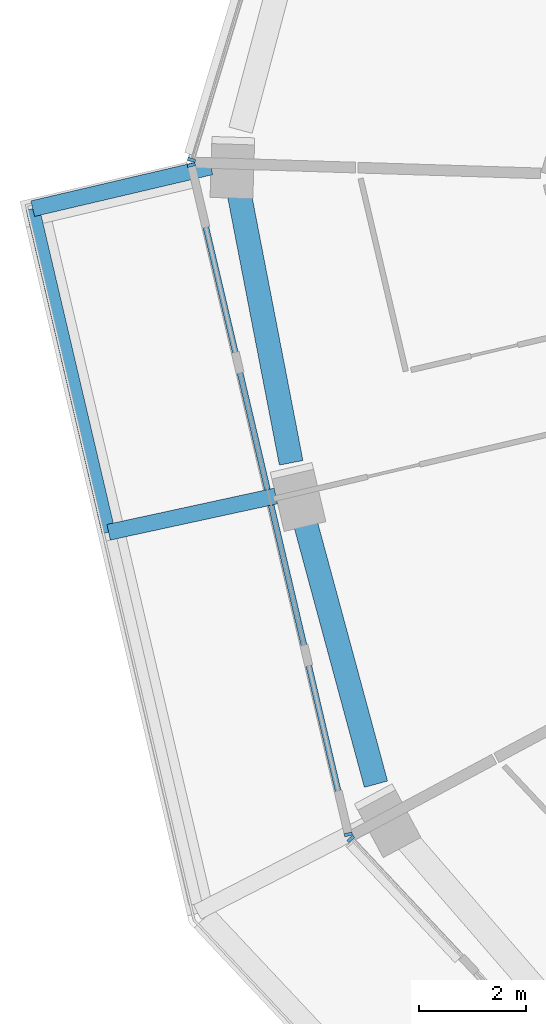
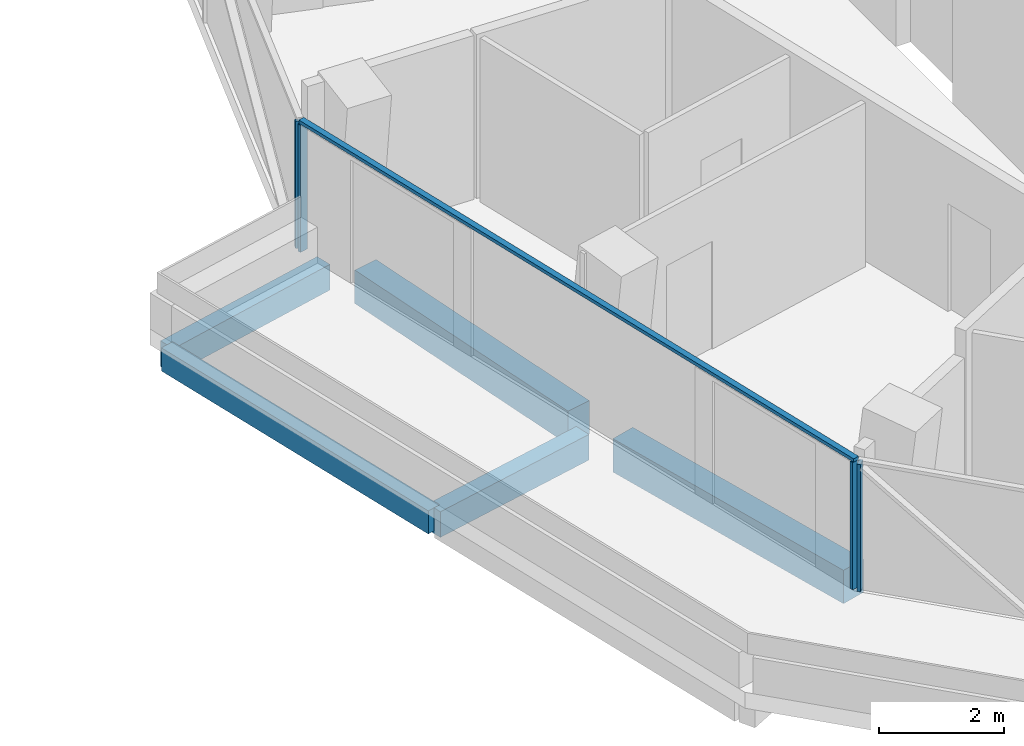
# One storey, part 4 of 24: 5 beams, 5 members, 3 elements without a shape of their own.
"""IFC4 building model written with IfcOpenShell, lengths in metres."""

from ifc_helpers import new_model, si_unit, direction, frame, origin, origin_2d, place, context, subcontext, project, spatial, rectangle, extrude, material, layer, layer_set, material_profile, profile_set, type_object, element, aggregate, save


model = new_model("IFC4")

# Units and contexts
model_context = context("Model", 3, precision=1e-05, world=origin(), true_north=direction((0.0, 1.0)))
body_context = subcontext(model_context, "Body", "Model", "MODEL_VIEW")
ifc_project = project(units=[si_unit("LENGTHUNIT", "METRE"), si_unit("AREAUNIT", "SQUARE_METRE"), si_unit("VOLUMEUNIT", "CUBIC_METRE"), si_unit("PLANEANGLEUNIT", "RADIAN"), si_unit("MASSUNIT", "GRAM", prefix="KILO")], contexts=[model_context])

# Site, building, storey
site_placement = place(None, origin())
site = spatial("IfcSite", under=ifc_project, at=site_placement, CompositionType="ELEMENT")
building_placement = place(site_placement, origin())
building = spatial("IfcBuilding", under=site, at=building_placement, Name="Verdalira Terraces Hotel", CompositionType="ELEMENT")
storey_placement = place(building_placement, frame((0.0, 0.0, 209.0)))
storey = spatial("IfcBuildingStorey", under=building, at=storey_placement, Name="L51", CompositionType="ELEMENT", Elevation=209.0)

# Beams
ifc_material_1 = material(Name="Concrete C40", Category="concrete")
ifc_material_profile_1 = material_profile(ifc_material_1, rectangle(XDim=0.300049, YDim=0.5, at=origin_2d()), Name="RC 300X500")
ifc_profile_set_1 = profile_set([ifc_material_profile_1], Name="Concrete C40")
beam_type_1 = type_object("IfcBeamType", Name="Balcony cantilever beam RC 300X500 C40", PredefinedType="BEAM", material=ifc_profile_set_1)
beam_1_placement = place(storey_placement, frame((-24.646484, 0.702881, -0.560059), z_axis=(-0.973563803, -0.22841524, 0.0), x_axis=(0.22841524, -0.973563803, 0.0)))
element("IfcBeam", 1, at=beam_1_placement, inside=storey, type_object=beam_type_1, Name="Balcony cantilever beam R12-3", PredefinedType="BEAM", context=body_context, shape_type="SweptSolid", body=[
    extrude(rectangle(XDim=0.300049, YDim=0.5, at=origin_2d()), origin(), (0.0, 0.0, 1.0), 3.423584),
])
beam_2_placement = place(storey_placement, frame((-23.431885, -5.452881, -0.560059), z_axis=(-0.97726233, -0.212033815, 0.0), x_axis=(0.212033815, -0.97726233, 0.0)))
element("IfcBeam", 2, at=beam_2_placement, inside=storey, type_object=beam_type_1, Name="Balcony cantilever beam R12-4", PredefinedType="BEAM", context=body_context, shape_type="SweptSolid", body=[
    extrude(rectangle(XDim=0.300049, YDim=0.5, at=origin_2d()), origin(), (0.0, 0.0, 1.0), 3.200928),
])
ifc_material_2 = material(Name="Concrete C40", Category="concrete")
ifc_material_profile_2 = material_profile(ifc_material_2, rectangle(XDim=0.25, YDim=0.449951, at=origin_2d()), Name="RC 250X450")
ifc_profile_set_2 = profile_set([ifc_material_profile_2], Name="Concrete C40")
beam_type_2 = type_object("IfcBeamType", Name="Balcony edge beam RC 250X450 C40", PredefinedType="BEAM", material=ifc_profile_set_2)
beam_3_placement = place(storey_placement, frame((-27.979492, -0.079102, -0.534912), z_axis=(0.228325686, -0.973584809, 0.0), x_axis=(0.973584809, 0.228325686, 0.0)))
element("IfcBeam", 3, at=beam_3_placement, inside=storey, type_object=beam_type_2, Name="Balcony edge beam R12-2", PredefinedType="BEAM", context=body_context, shape_type="SweptSolid", body=[
    extrude(rectangle(XDim=0.25, YDim=0.449951, at=origin_2d()), origin(), (0.0, 0.0, 1.0), 6.216797),
])

# Curtain wall, member
ifc_material_3 = material(Name="Clear glass", Category="glass")
ifc_layer = layer(ifc_material_3, 0.14990234375)
ifc_layer_set = layer_set([ifc_layer], Name="CW1 curtain wall")
curtain_wall_type = type_object("IfcCurtainWallType", Name="CW1 curtain wall", PredefinedType="NOTDEFINED", material=ifc_layer_set)
curtain_wall_1_placement = place(storey_placement, origin())
curtain_wall_1 = element("IfcCurtainWall", 4, at=curtain_wall_1_placement, inside=storey, type_object=curtain_wall_type, Name="CW1 curtain wall L51 edge 11", PredefinedType="NOTDEFINED")
ifc_material_4 = material(Name="Terracotta frame", Category="masonry")
ifc_material_profile_3 = material_profile(ifc_material_4, rectangle(XDim=0.060059, YDim=0.149902, at=origin_2d()), Name="MU 60x150")
ifc_profile_set_3 = profile_set([ifc_material_profile_3], Name="Terracotta frame")
member_type_1 = type_object("IfcMemberType", Name="CW1 mullion 60x150", PredefinedType="MULLION", material=ifc_profile_set_3)
member_1_placement = place(storey_placement, frame((-25.009521, 0.834473, 0.0), z_axis=(0.0, 0.0, 1.0), x_axis=(-0.289031797, -0.957319498, 0.0)))
member_1 = element("IfcMember", 5, at=member_1_placement, type_object=member_type_1, Name="CW1 mullion", PredefinedType="MULLION", context=body_context, shape_type="SweptSolid", body=[
    extrude(rectangle(XDim=0.060059, YDim=0.149902, at=origin_2d()), origin(), (0.0, 0.0, 1.0), 2.475098),
])
aggregate(curtain_wall_1, [member_1])

# Curtain wall, members
curtain_wall_2_placement = place(storey_placement, origin())
curtain_wall_2 = element("IfcCurtainWall", 6, at=curtain_wall_2_placement, inside=storey, type_object=curtain_wall_type, Name="CW1 curtain wall L51 edge 12", PredefinedType="NOTDEFINED")
member_2_placement = place(storey_placement, frame((-25.012695, 0.737549, 0.0), z_axis=(0.0, 0.0, 1.0), x_axis=(0.22835087, -0.973578903, 0.0)))
member_2 = element("IfcMember", 7, at=member_2_placement, type_object=member_type_1, Name="CW1 mullion", PredefinedType="MULLION", context=body_context, shape_type="SweptSolid", body=[
    extrude(rectangle(XDim=0.060059, YDim=0.149902, at=origin_2d()), origin(), (0.0, 0.0, 1.0), 2.475098),
])
member_3_placement = place(storey_placement, frame((-22.076172, -11.782227, 0.0), z_axis=(0.0, 0.0, 1.0), x_axis=(0.22835087, -0.973578903, 0.0)))
member_3 = element("IfcMember", 8, at=member_3_placement, type_object=member_type_1, Name="CW1 mullion", PredefinedType="MULLION", context=body_context, shape_type="SweptSolid", body=[
    extrude(rectangle(XDim=0.060059, YDim=0.149902, at=origin_2d()), origin(), (0.0, 0.0, 1.0), 2.475098),
])

# Curtain wall, member
curtain_wall_3_placement = place(storey_placement, origin())
curtain_wall_3 = element("IfcCurtainWall", 9, at=curtain_wall_3_placement, inside=storey, type_object=curtain_wall_type, Name="CW1 curtain wall L51 edge 13", PredefinedType="NOTDEFINED")
member_4_placement = place(storey_placement, frame((-22.030273, -11.867432, 0.0), z_axis=(0.0, 0.0, 1.0), x_axis=(0.684547106, -0.728968627, 0.0)))
member_4 = element("IfcMember", 10, at=member_4_placement, type_object=member_type_1, Name="CW1 mullion", PredefinedType="MULLION", context=body_context, shape_type="SweptSolid", body=[
    extrude(rectangle(XDim=0.060059, YDim=0.149902, at=origin_2d()), origin(), (0.0, 0.0, 1.0), 2.475098),
])
aggregate(curtain_wall_3, [member_4])

# Member
ifc_material_5 = material(Name="Terracotta frame", Category="masonry")
ifc_material_profile_4 = material_profile(ifc_material_5, rectangle(XDim=0.110107, YDim=0.064941, at=origin_2d()), Name="TR 65x110")
ifc_profile_set_4 = profile_set([ifc_material_profile_4], Name="Terracotta frame")
member_type_2 = type_object("IfcMemberType", Name="CW1 transom 65x110", PredefinedType="USERDEFINED", material=ifc_profile_set_4)
member_5_placement = place(storey_placement, frame((-25.019531, 0.766846, 2.507568), z_axis=(0.228348336, -0.973579497, 0.0), x_axis=(0.973579497, 0.228348336, 0.0)))
member_5 = element("IfcMember", 11, at=member_5_placement, type_object=member_type_2, Name="CW1 transom", ObjectType="TRANSOM", PredefinedType="USERDEFINED", context=body_context, shape_type="SweptSolid", body=[
    extrude(rectangle(XDim=0.110107, YDim=0.064941, at=origin_2d()), origin(), (0.0, 0.0, 1.0), 12.919678),
])

aggregate(curtain_wall_2, [member_2, member_3, member_5])

# Beams
ifc_material_6 = material(Name="Concrete C50", Category="concrete")
ifc_material_profile_5 = material_profile(ifc_material_6, rectangle(XDim=0.449951, YDim=0.649902, at=origin_2d()), Name="RC 450X650")
ifc_profile_set_5 = profile_set([ifc_material_profile_5], Name="Concrete C50")
beam_type_3 = type_object("IfcBeamType", Name="Spandrel beam RC 450X650 C50", PredefinedType="SPANDREL", material=ifc_profile_set_5)
beam_4_placement = place(storey_placement, frame((-24.129883, 0.265625, -0.63501), z_axis=(0.189583289, -0.981864643, 0.0), x_axis=(0.981864643, 0.189583289, 0.0)))
element("IfcBeam", 12, at=beam_4_placement, inside=storey, type_object=beam_type_3, Name="Spandrel beam B06", PredefinedType="SPANDREL", context=body_context, shape_type="SweptSolid", body=[
    extrude(rectangle(XDim=0.449951, YDim=0.649902, at=origin_2d()), origin(), (0.0, 0.0, 1.0), 5.192383),
])
beam_5_placement = place(storey_placement, frame((-22.913574, -5.83374, -0.63501), z_axis=(0.260911395, -0.965362753, 0.0), x_axis=(0.965362753, 0.260911395, 0.0)))
element("IfcBeam", 13, at=beam_5_placement, inside=storey, type_object=beam_type_3, Name="Spandrel beam B07", PredefinedType="SPANDREL", context=body_context, shape_type="SweptSolid", body=[
    extrude(rectangle(XDim=0.449951, YDim=0.649902, at=origin_2d()), origin(), (0.0, 0.0, 1.0), 5.189453),
])

save(model, "model.ifc")
